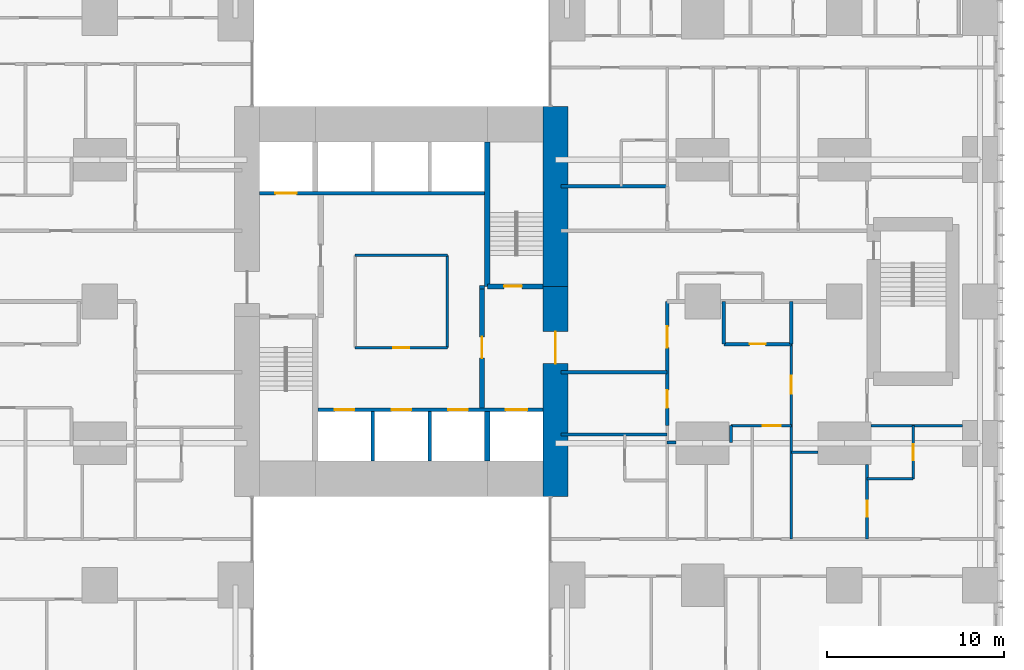
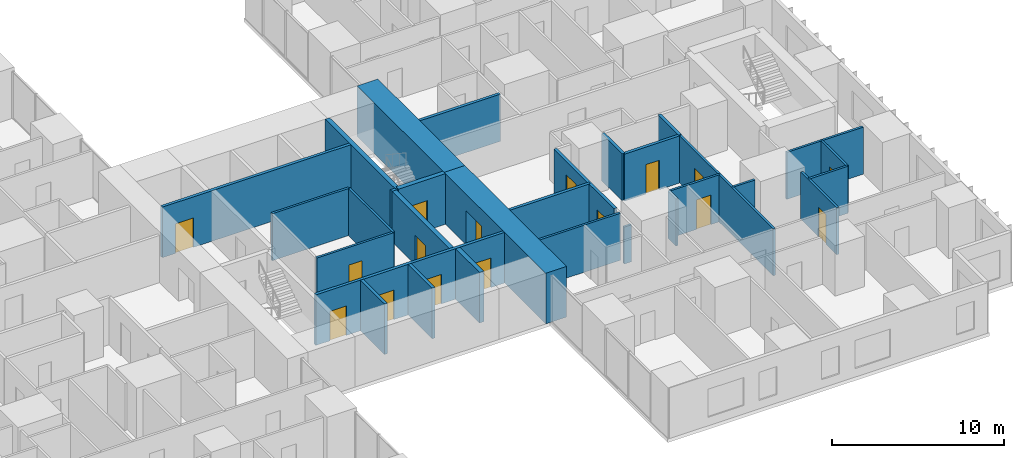
# One storey, part 15 of 20: 30 walls, 16 doors, 16 openings.
"""IFC4 building model written with IfcOpenShell, lengths in metres."""

from ifc_helpers import new_model, si_unit, direction, frame, frame_2d, origin, place, context, subcontext, project, spatial, rectangle, extrude, material, layer, layer_set, type_object, element, fill, save


model = new_model("IFC4")

# Units and contexts
model_context = context("Model", 3, precision=1e-05, world=origin(), true_north=direction((0.0, 1.0)))
body_context = subcontext(model_context, "Body", "Model", "MODEL_VIEW")
ifc_project = project(units=[si_unit("LENGTHUNIT", "METRE"), si_unit("AREAUNIT", "SQUARE_METRE"), si_unit("VOLUMEUNIT", "CUBIC_METRE"), si_unit("PLANEANGLEUNIT", "RADIAN"), si_unit("MASSUNIT", "GRAM", prefix="KILO")], contexts=[model_context])

# Site, building, storey
site_placement = place(None, origin())
site = spatial("IfcSite", under=ifc_project, at=site_placement, CompositionType="ELEMENT")
building_placement = place(site_placement, origin())
building = spatial("IfcBuilding", under=site, at=building_placement, Name="Cleftline Residences", CompositionType="ELEMENT")
storey_placement = place(building_placement, frame((0.0, 0.0, 62.0)))
storey = spatial("IfcBuildingStorey", under=building, at=storey_placement, Name="L15", CompositionType="ELEMENT", Elevation=62.0)

# Wall, opening, door
ifc_material_1 = material(Name="Concrete B70", Category="concrete")
ifc_layer_1 = layer(ifc_material_1, 1.39990234375)
ifc_layer_set_1 = layer_set([ifc_layer_1], Name="CORE WALL 1400")
wall_type_1 = type_object("IfcWallType", Name="CORE WALL 1400", PredefinedType="SHEAR", material=ifc_layer_set_1)
wall_1_placement = place(storey_placement, frame((41.699951171875, 13.0, 0.0), z_axis=(0.0, 0.0, 1.0), x_axis=(0.0, 1.0, 0.0)))
wall_1 = element("IfcWall", 1, at=wall_1_placement, inside=storey, type_object=wall_type_1, Name="Core wall E", PredefinedType="SHEAR", context=body_context, shape_type="SweptSolid", body=[
    extrude(rectangle(XDim=11.85009765625, YDim=1.39990234375, at=frame_2d((5.925048828125, 0.0))), origin(), (0.0, 0.0, 1.0), 3.60009765625),
])
opening_1_placement = place(wall_1_placement, frame((7.5, 0.0, 0.0)))
opening_1 = element("IfcOpeningElement", 2, at=opening_1_placement, cuts=wall_1, Name="Opening D7", PredefinedType="OPENING", context=body_context, shape_type="SweptSolid", body=[
    extrude(rectangle(XDim=1.800048828125, YDim=2.39990234375, at=frame_2d((0.89990234375, 1.199951171875))), frame((0.0, 0.7099609375, 0.0), z_axis=(0.0, -1.0, 0.0), x_axis=(1.0, 0.0, 0.0)), (0.0, 0.0, 1.0), 1.419921875),
])
ifc_material_2 = material(Name="Steel", Category="steel")
door_type_1 = type_object("IfcDoorType", Name="WING DOOR 1800X2400", OperationType="DOUBLE_DOOR_DOUBLE_SWING", PredefinedType="DOOR", material=ifc_material_2)
door_1_placement = place(opening_1_placement, origin())
door_1 = element("IfcDoor", 3, at=door_1_placement, inside=storey, type_object=door_type_1, Name="East wing door", OperationType="DOUBLE_DOOR_DOUBLE_SWING", OverallHeight=2.39990234375, OverallWidth=1.800048828125, PredefinedType="DOOR", context=body_context, shape_type="SweptSolid", body=[
    extrude(rectangle(XDim=1.800048828125, YDim=2.39990234375, at=frame_2d((0.89990234375, 1.199951171875))), frame((0.0, 0.02490234375, 0.0), z_axis=(0.0, -1.0, 0.0), x_axis=(1.0, 0.0, 0.0)), (0.0, 0.0, 1.0), 0.050048828125),
])
fill(opening_1, door_1)

# Walls
wall_2_placement = place(storey_placement, frame((41.699951171875, 24.85009765625, 0.0), z_axis=(0.0, 0.0, 1.0), x_axis=(0.0, 1.0, 0.0)))
element("IfcWall", 4, at=wall_2_placement, inside=storey, type_object=wall_type_1, Name="Core wall E1", PredefinedType="SHEAR", context=body_context, shape_type="SweptSolid", body=[
    extrude(rectangle(XDim=10.14990234375, YDim=1.39990234375, at=frame_2d((5.074951171875, 0.0))), origin(), (0.0, 0.0, 1.0), 3.60009765625),
])
ifc_material_3 = material(Name="Concrete B70", Category="concrete")
ifc_layer_2 = layer(ifc_material_3, 0.300048828125)
ifc_layer_set_2 = layer_set([ifc_layer_2], Name="CORE WALL 300")
wall_type_2 = type_object("IfcWallType", Name="CORE WALL 300", PredefinedType="SHEAR", material=ifc_layer_set_2)
wall_3_placement = place(storey_placement, frame((37.85009765625, 24.85009765625, 0.0), z_axis=(0.0, 0.0, 1.0), x_axis=(0.0, 1.0, 0.0)))
element("IfcWall", 5, at=wall_3_placement, inside=storey, type_object=wall_type_2, Name="Core wall SB-W", PredefinedType="SHEAR", context=body_context, shape_type="SweptSolid", body=[
    extrude(rectangle(XDim=8.14990234375, YDim=0.300048828125, at=frame_2d((4.074951171875, 0.0))), origin(), (0.0, 0.0, 1.0), 3.60009765625),
])

# Wall, opening, door
wall_4_placement = place(storey_placement, frame((37.85009765625, 24.85009765625, 0.0), z_axis=(0.0, 0.0, 1.0), x_axis=(1.0, 0.0, 0.0)))
wall_4 = element("IfcWall", 6, at=wall_4_placement, inside=storey, type_object=wall_type_2, Name="Core wall SB-S", PredefinedType="SHEAR", context=body_context, shape_type="SweptSolid", body=[
    extrude(rectangle(XDim=3.14990234375, YDim=0.300048828125, at=frame_2d((1.574951171875, 0.0))), origin(), (0.0, 0.0, 1.0), 3.60009765625),
])
opening_2_placement = place(wall_4_placement, frame((0.949951171875, 0.0, 0.0)))
opening_2 = element("IfcOpeningElement", 7, at=opening_2_placement, cuts=wall_4, Name="Opening D5", PredefinedType="OPENING", context=body_context, shape_type="SweptSolid", body=[
    extrude(rectangle(XDim=1.0, YDim=2.10009765625, at=frame_2d((0.5, 1.050048828125))), frame((0.0, 0.159912109375, 0.0), z_axis=(0.0, -1.0, 0.0), x_axis=(1.0, 0.0, 0.0)), (0.0, 0.0, 1.0), 0.320068359375),
])
ifc_material_4 = material(Name="Steel", Category="steel")
door_type_2 = type_object("IfcDoorType", Name="STAIR DOOR 1000X2100", OperationType="SINGLE_SWING_LEFT", PredefinedType="DOOR", material=ifc_material_4)
door_2_placement = place(opening_2_placement, origin())
door_2 = element("IfcDoor", 8, at=door_2_placement, inside=storey, type_object=door_type_2, Name="Stair B door", OperationType="SINGLE_SWING_RIGHT", OverallHeight=2.10009765625, OverallWidth=1.0, PredefinedType="DOOR", context=body_context, shape_type="SweptSolid", body=[
    extrude(rectangle(XDim=1.0, YDim=2.10009765625, at=frame_2d((0.5, 1.050048828125))), frame((0.0, 0.02490234375, 0.0), z_axis=(0.0, -1.0, 0.0), x_axis=(1.0, 0.0, 0.0)), (0.0, 0.0, 1.0), 0.050048828125),
])
fill(opening_2, door_2)

# Walls
wall_5_placement = place(storey_placement, frame((37.85009765625, 15.0, 0.0), z_axis=(0.0, 0.0, 1.0), x_axis=(0.0, 1.0, 0.0)))
element("IfcWall", 9, at=wall_5_placement, inside=storey, type_object=wall_type_2, Name="Lift shaft wall", PredefinedType="SHEAR", context=body_context, shape_type="SweptSolid", body=[
    extrude(rectangle(XDim=2.800048828125, YDim=0.300048828125, at=frame_2d((1.39990234375, 0.0))), origin(), (0.0, 0.0, 1.0), 3.60009765625),
])
ifc_material_5 = material(Name="Concrete blockwork, fire rated", Category="masonry")
ifc_layer_3 = layer(ifc_material_5, 0.199951171875)
ifc_layer_set_3 = layer_set([ifc_layer_3], Name="FIRE WALL 200")
wall_type_3 = type_object("IfcWallType", Name="FIRE WALL 200", PredefinedType="PARTITIONING", material=ifc_layer_set_3)
wall_6_placement = place(storey_placement, frame((42.0, 20.0, 0.0), z_axis=(0.0, 0.0, 1.0), x_axis=(1.0, 0.0, 0.0)))
element("IfcWall", 10, at=wall_6_placement, inside=storey, type_object=wall_type_3, Name="Fire separating wall", PredefinedType="PARTITIONING", context=body_context, shape_type="SweptSolid", body=[
    extrude(rectangle(XDim=6.0, YDim=0.199951171875, at=frame_2d((3.0, 0.0))), origin(), (0.0, 0.0, 1.0), 3.35009765625),
])

# Wall, opening, door
wall_7_placement = place(storey_placement, frame((51.199951171875, 21.60009765625, 0.0), z_axis=(0.0, 0.0, 1.0), x_axis=(1.0, 0.0, 0.0)))
wall_7 = element("IfcWall", 11, at=wall_7_placement, inside=storey, type_object=wall_type_3, Name="Fire separating wall", PredefinedType="PARTITIONING", context=body_context, shape_type="SweptSolid", body=[
    extrude(rectangle(XDim=3.800048828125, YDim=0.199951171875, at=frame_2d((1.89990234375, 0.0))), origin(), (0.0, 0.0, 1.0), 3.35009765625),
])
opening_3_placement = place(wall_7_placement, frame((1.449951171875, 0.0, 0.0)))
opening_3 = element("IfcOpeningElement", 12, at=opening_3_placement, cuts=wall_7, Name="Opening D1F30", PredefinedType="OPENING", context=body_context, shape_type="SweptSolid", body=[
    extrude(rectangle(XDim=0.89990234375, YDim=2.10009765625, at=frame_2d((0.449951171875, 1.050048828125))), frame((0.0, 0.10986328125, 0.0), z_axis=(0.0, -1.0, 0.0), x_axis=(1.0, 0.0, 0.0)), (0.0, 0.0, 1.0), 0.219970703125),
])
ifc_material_6 = material(Name="Timber veneer on solid core", Category="wood")
door_type_3 = type_object("IfcDoorType", Name="DOOR 900X2100 EI 30", OperationType="SINGLE_SWING_LEFT", PredefinedType="DOOR", material=ifc_material_6)
door_3_placement = place(opening_3_placement, origin())
door_3 = element("IfcDoor", 13, at=door_3_placement, inside=storey, type_object=door_type_3, Name="Door to cloakroom wc", OperationType="SINGLE_SWING_LEFT", OverallHeight=2.10009765625, OverallWidth=0.89990234375, PredefinedType="DOOR", context=body_context, shape_type="SweptSolid", body=[
    extrude(rectangle(XDim=0.89990234375, YDim=2.10009765625, at=frame_2d((0.449951171875, 1.050048828125))), frame((0.0, 0.02490234375, 0.0), z_axis=(0.0, -1.0, 0.0), x_axis=(1.0, 0.0, 0.0)), (0.0, 0.0, 1.0), 0.050048828125),
])
fill(opening_3, door_3)

# Wall
wall_8_placement = place(storey_placement, frame((42.0, 30.5, 0.0), z_axis=(0.0, 0.0, 1.0), x_axis=(1.0, 0.0, 0.0)))
element("IfcWall", 14, at=wall_8_placement, inside=storey, type_object=wall_type_3, Name="Fire separating wall", PredefinedType="PARTITIONING", context=body_context, shape_type="SweptSolid", body=[
    extrude(rectangle(XDim=6.0, YDim=0.199951171875, at=frame_2d((3.0, 0.0))), origin(), (0.0, 0.0, 1.0), 3.35009765625),
])

# Wall, openings, doors
wall_9_placement = place(storey_placement, frame((48.0, 17.0, 0.0), z_axis=(0.0, 0.0, 1.0), x_axis=(0.0, 1.0, 0.0)))
wall_9 = element("IfcWall", 15, at=wall_9_placement, inside=storey, type_object=wall_type_3, Name="Fire separating wall", PredefinedType="PARTITIONING", context=body_context, shape_type="SweptSolid", body=[
    extrude(rectangle(XDim=7.0, YDim=0.199951171875, at=frame_2d((3.5, 0.0))), origin(), (0.0, 0.0, 1.0), 3.35009765625),
])
opening_4_placement = place(wall_9_placement, frame((4.39990234375, 0.0, 0.0)))
opening_4 = element("IfcOpeningElement", 16, at=opening_4_placement, cuts=wall_9, Name="Opening D4", PredefinedType="OPENING", context=body_context, shape_type="SweptSolid", body=[
    extrude(rectangle(XDim=1.199951171875, YDim=2.39990234375, at=frame_2d((0.60009765625, 1.199951171875))), frame((0.0, 0.10986328125, 0.0), z_axis=(0.0, -1.0, 0.0), x_axis=(1.0, 0.0, 0.0)), (0.0, 0.0, 1.0), 0.219970703125),
])
opening_5_placement = place(wall_9_placement, frame((1.0, 0.0, 0.0)))
opening_5 = element("IfcOpeningElement", 17, at=opening_5_placement, cuts=wall_9, Name="Opening D2F30", PredefinedType="OPENING", context=body_context, shape_type="SweptSolid", body=[
    extrude(rectangle(XDim=1.0, YDim=2.10009765625, at=frame_2d((0.5, 1.050048828125))), frame((0.0, 0.10986328125, 0.0), z_axis=(0.0, -1.0, 0.0), x_axis=(1.0, 0.0, 0.0)), (0.0, 0.0, 1.0), 0.219970703125),
])
ifc_material_7 = material(Name="Timber veneer on solid core", Category="wood")
door_type_4 = type_object("IfcDoorType", Name="APARTMENT ENTRANCE DOOR 1200X2400", OperationType="SINGLE_SWING_RIGHT", PredefinedType="DOOR", material=ifc_material_7)
door_4_placement = place(opening_4_placement, origin())
door_4 = element("IfcDoor", 18, at=door_4_placement, inside=storey, type_object=door_type_4, Name="Door to residence entrance foyer", OperationType="SINGLE_SWING_LEFT", OverallHeight=2.39990234375, OverallWidth=1.199951171875, PredefinedType="DOOR", context=body_context, shape_type="SweptSolid", body=[
    extrude(rectangle(XDim=1.199951171875, YDim=2.39990234375, at=frame_2d((0.60009765625, 1.199951171875))), frame((0.0, 0.02490234375, 0.0), z_axis=(0.0, -1.0, 0.0), x_axis=(1.0, 0.0, 0.0)), (0.0, 0.0, 1.0), 0.050048828125),
])
fill(opening_4, door_4)
ifc_material_8 = material(Name="Timber veneer on solid core", Category="wood")
door_type_5 = type_object("IfcDoorType", Name="DOOR 1000X2100 EI 30", OperationType="SINGLE_SWING_LEFT", PredefinedType="DOOR", material=ifc_material_8)
door_5_placement = place(opening_5_placement, origin())
door_5 = element("IfcDoor", 19, at=door_5_placement, inside=storey, type_object=door_type_5, Name="Door to wet kitchen", OperationType="SINGLE_SWING_RIGHT", OverallHeight=2.10009765625, OverallWidth=1.0, PredefinedType="DOOR", context=body_context, shape_type="SweptSolid", body=[
    extrude(rectangle(XDim=1.0, YDim=2.10009765625, at=frame_2d((0.5, 1.050048828125))), frame((0.0, 0.02490234375, 0.0), z_axis=(0.0, -1.0, 0.0), x_axis=(1.0, 0.0, 0.0)), (0.0, 0.0, 1.0), 0.050048828125),
])
fill(opening_5, door_5)

# Walls
for number, where, z_axis, x_axis, name in (
    (20, (51.199951171875, 21.60009765625, 0.0), (0.0, 0.0, 1.0), (0.0, 1.0, 0.0), "Fire separating wall"),
    (21, (55.0, 21.60009765625, 0.0), (0.0, 0.0, 1.0), (0.0, 1.0, 0.0), "Fire separating wall"),
):
    element("IfcWall", number, at=place(storey_placement, frame(where, z_axis=z_axis, x_axis=x_axis)), inside=storey, type_object=wall_type_3, Name=name, PredefinedType="PARTITIONING", context=body_context, shape_type="SweptSolid", body=[
        extrude(rectangle(XDim=2.39990234375, YDim=0.199951171875, at=frame_2d((1.199951171875, 0.0))), origin(), (0.0, 0.0, 1.0), 3.35009765625),
    ])
wall_10_placement = place(storey_placement, frame((37.39990234375, 24.800048828125, 0.0), z_axis=(0.0, 0.0, 1.0), x_axis=(1.0, 0.0, 0.0)))
element("IfcWall", 22, at=wall_10_placement, inside=storey, type_object=wall_type_3, Name="Fire separating wall", PredefinedType="PARTITIONING", context=body_context, shape_type="SweptSolid", body=[
    extrude(rectangle(XDim=0.300048828125, YDim=0.199951171875, at=frame_2d((0.14990234375, 0.0))), origin(), (0.0, 0.0, 1.0), 3.60009765625),
])
ifc_material_9 = material(Name="Gypsum board on steel studs", Category="steel")
ifc_layer_4 = layer(ifc_material_9, 0.14990234375)
ifc_layer_set_4 = layer_set([ifc_layer_4], Name="PARTITION 150")
wall_type_4 = type_object("IfcWallType", Name="PARTITION 150", PredefinedType="PARTITIONING", material=ifc_layer_set_4)
wall_11_placement = place(storey_placement, frame((59.27490234375, 14.0, 0.0), z_axis=(0.0, 0.0, 1.0), x_axis=(1.0, 0.0, 0.0)))
element("IfcWall", 23, at=wall_11_placement, inside=storey, type_object=wall_type_4, Name="Partition", PredefinedType="PARTITIONING", context=body_context, shape_type="SweptSolid", body=[
    extrude(rectangle(XDim=2.60009765625, YDim=0.14990234375, at=frame_2d((1.300048828125, 0.0))), origin(), (0.0, 0.0, 1.0), 3.35009765625),
])
wall_12_placement = place(storey_placement, frame((55.0, 15.5, 0.0), z_axis=(0.0, 0.0, 1.0), x_axis=(1.0, 0.0, 0.0)))
element("IfcWall", 24, at=wall_12_placement, inside=storey, type_object=wall_type_4, Name="Partition", PredefinedType="PARTITIONING", context=body_context, shape_type="SweptSolid", body=[
    extrude(rectangle(XDim=1.5, YDim=0.14990234375, at=frame_2d((0.75, 0.0))), origin(), (0.0, 0.0, 1.0), 3.35009765625),
])
wall_13_placement = place(storey_placement, frame((48.0, 16.050048828125, 0.0), z_axis=(0.0, 0.0, 1.0), x_axis=(1.0, 0.0, 0.0)))
element("IfcWall", 25, at=wall_13_placement, inside=storey, type_object=wall_type_4, Name="Partition", PredefinedType="PARTITIONING", context=body_context, shape_type="SweptSolid", body=[
    extrude(rectangle(XDim=0.5, YDim=0.14990234375, at=frame_2d((0.25, 0.0))), origin(), (0.0, 0.0, 1.0), 2.634033203125),
])
wall_14_placement = place(storey_placement, frame((42.0, 16.5, 0.0), z_axis=(0.0, 0.0, 1.0), x_axis=(1.0, 0.0, 0.0)))
element("IfcWall", 26, at=wall_14_placement, inside=storey, type_object=wall_type_4, Name="Partition", PredefinedType="PARTITIONING", context=body_context, shape_type="SweptSolid", body=[
    extrude(rectangle(XDim=6.0, YDim=0.14990234375, at=frame_2d((3.0, 0.0))), origin(), (0.0, 0.0, 1.0), 3.35009765625),
])

# Wall, opening, door
wall_15_placement = place(storey_placement, frame((51.60009765625, 17.0, 0.0), z_axis=(0.0, 0.0, 1.0), x_axis=(1.0, 0.0, 0.0)))
wall_15 = element("IfcWall", 27, at=wall_15_placement, inside=storey, type_object=wall_type_4, Name="Partition", PredefinedType="PARTITIONING", context=body_context, shape_type="SweptSolid", body=[
    extrude(rectangle(XDim=3.39990234375, YDim=0.14990234375, at=frame_2d((1.699951171875, 0.0))), origin(), (0.0, 0.0, 1.0), 3.35009765625),
])
opening_6_placement = place(wall_15_placement, frame((1.800048828125, 0.0, 0.0)))
opening_6 = element("IfcOpeningElement", 28, at=opening_6_placement, cuts=wall_15, Name="Opening D2", PredefinedType="OPENING", context=body_context, shape_type="SweptSolid", body=[
    extrude(rectangle(XDim=1.0, YDim=2.10009765625, at=frame_2d((0.5, 1.050048828125))), frame((0.0, 0.0849609375, 0.0), z_axis=(0.0, -1.0, 0.0), x_axis=(1.0, 0.0, 0.0)), (0.0, 0.0, 1.0), 0.169921875),
])
ifc_material_10 = material(Name="Timber veneer on solid core", Category="wood")
door_type_6 = type_object("IfcDoorType", Name="DOOR 1000X2100", OperationType="SINGLE_SWING_LEFT", PredefinedType="DOOR", material=ifc_material_10)
door_6_placement = place(opening_6_placement, origin())
door_6 = element("IfcDoor", 29, at=door_6_placement, inside=storey, type_object=door_type_6, Name="Door to residence passage", OperationType="SINGLE_SWING_LEFT", OverallHeight=2.10009765625, OverallWidth=1.0, PredefinedType="DOOR", context=body_context, shape_type="SweptSolid", body=[
    extrude(rectangle(XDim=1.0, YDim=2.10009765625, at=frame_2d((0.5, 1.050048828125))), frame((0.0, 0.02490234375, 0.0), z_axis=(0.0, -1.0, 0.0), x_axis=(1.0, 0.0, 0.0)), (0.0, 0.0, 1.0), 0.050048828125),
])
fill(opening_6, door_6)

# Walls
wall_16_placement = place(storey_placement, frame((59.5, 17.0, 0.0), z_axis=(0.0, 0.0, 1.0), x_axis=(1.0, 0.0, 0.0)))
element("IfcWall", 30, at=wall_16_placement, inside=storey, type_object=wall_type_4, Name="Partition", PredefinedType="PARTITIONING", context=body_context, shape_type="SweptSolid", body=[
    extrude(rectangle(XDim=5.14990234375, YDim=0.14990234375, at=frame_2d((2.574951171875, 0.0))), origin(), (0.0, 0.0, 1.0), 3.35009765625),
])
wall_17_placement = place(storey_placement, frame((51.60009765625, 16.050048828125, 0.0), z_axis=(0.0, 0.0, 1.0), x_axis=(0.0, 1.0, 0.0)))
element("IfcWall", 31, at=wall_17_placement, inside=storey, type_object=wall_type_4, Name="Partition", PredefinedType="PARTITIONING", context=body_context, shape_type="SweptSolid", body=[
    extrude(rectangle(XDim=0.949951171875, YDim=0.14990234375, at=frame_2d((0.47509765625, 0.0))), origin(), (0.0, 0.0, 1.0), 3.35009765625),
])

# Wall, opening, door
wall_18_placement = place(storey_placement, frame((55.0, 10.60009765625, 0.0), z_axis=(0.0, 0.0, 1.0), x_axis=(0.0, 1.0, 0.0)))
wall_18 = element("IfcWall", 32, at=wall_18_placement, inside=storey, type_object=wall_type_4, Name="Partition", PredefinedType="PARTITIONING", context=body_context, shape_type="SweptSolid", body=[
    extrude(rectangle(XDim=11.0, YDim=0.14990234375, at=frame_2d((5.5, 0.0))), origin(), (0.0, 0.0, 1.0), 3.35009765625),
])
opening_7_placement = place(wall_18_placement, frame((8.199951171875, 0.0, 0.0)))
opening_7 = element("IfcOpeningElement", 33, at=opening_7_placement, cuts=wall_18, Name="Opening D2F30", PredefinedType="OPENING", context=body_context, shape_type="SweptSolid", body=[
    extrude(rectangle(XDim=1.0, YDim=2.10009765625, at=frame_2d((0.5, 1.050048828125))), frame((0.0, 0.0849609375, 0.0), z_axis=(0.0, -1.0, 0.0), x_axis=(1.0, 0.0, 0.0)), (0.0, 0.0, 1.0), 0.169921875),
])
door_7_placement = place(opening_7_placement, origin())
door_7 = element("IfcDoor", 34, at=door_7_placement, inside=storey, type_object=door_type_5, Name="Door to residence lobby", OperationType="SINGLE_SWING_LEFT", OverallHeight=2.10009765625, OverallWidth=1.0, PredefinedType="DOOR", context=body_context, shape_type="SweptSolid", body=[
    extrude(rectangle(XDim=1.0, YDim=2.10009765625, at=frame_2d((0.5, 1.050048828125))), frame((0.0, 0.02490234375, 0.0), z_axis=(0.0, -1.0, 0.0), x_axis=(1.0, 0.0, 0.0)), (0.0, 0.0, 1.0), 0.050048828125),
])
fill(opening_7, door_7)

wall_19_placement = place(storey_placement, frame((59.27490234375, 10.60009765625, 0.0), z_axis=(0.0, 0.0, 1.0), x_axis=(0.0, 1.0, 0.0)))
wall_19 = element("IfcWall", 35, at=wall_19_placement, inside=storey, type_object=wall_type_4, Name="Partition", PredefinedType="PARTITIONING", context=body_context, shape_type="SweptSolid", body=[
    extrude(rectangle(XDim=4.199951171875, YDim=0.14990234375, at=frame_2d((2.10009765625, 0.0))), origin(), (0.0, 0.0, 1.0), 3.35009765625),
])
opening_8_placement = place(wall_19_placement, frame((1.25, 0.0, 0.0)))
opening_8 = element("IfcOpeningElement", 36, at=opening_8_placement, cuts=wall_19, Name="Opening D1", PredefinedType="OPENING", context=body_context, shape_type="SweptSolid", body=[
    extrude(rectangle(XDim=0.89990234375, YDim=2.10009765625, at=frame_2d((0.449951171875, 1.050048828125))), frame((0.0, 0.0849609375, 0.0), z_axis=(0.0, -1.0, 0.0), x_axis=(1.0, 0.0, 0.0)), (0.0, 0.0, 1.0), 0.169921875),
])
ifc_material_11 = material(Name="Timber veneer on solid core", Category="wood")
door_type_7 = type_object("IfcDoorType", Name="DOOR 900X2100", OperationType="SINGLE_SWING_LEFT", PredefinedType="DOOR", material=ifc_material_11)
door_8_placement = place(opening_8_placement, origin())
door_8 = element("IfcDoor", 37, at=door_8_placement, inside=storey, type_object=door_type_7, Name="Door to master dressing room", OperationType="SINGLE_SWING_RIGHT", OverallHeight=2.10009765625, OverallWidth=0.89990234375, PredefinedType="DOOR", context=body_context, shape_type="SweptSolid", body=[
    extrude(rectangle(XDim=0.89990234375, YDim=2.10009765625, at=frame_2d((0.449951171875, 1.050048828125))), frame((0.0, 0.02490234375, 0.0), z_axis=(0.0, -1.0, 0.0), x_axis=(1.0, 0.0, 0.0)), (0.0, 0.0, 1.0), 0.050048828125),
])
fill(opening_8, door_8)

wall_20_placement = place(storey_placement, frame((61.875, 14.0, 0.0), z_axis=(0.0, 0.0, 1.0), x_axis=(0.0, 1.0, 0.0)))
wall_20 = element("IfcWall", 38, at=wall_20_placement, inside=storey, type_object=wall_type_4, Name="Partition", PredefinedType="PARTITIONING", context=body_context, shape_type="SweptSolid", body=[
    extrude(rectangle(XDim=3.0, YDim=0.14990234375, at=frame_2d((1.5, 0.0))), origin(), (0.0, 0.0, 1.0), 3.35009765625),
])
opening_9_placement = place(wall_20_placement, frame((1.050048828125, 0.0, 0.0)))
opening_9 = element("IfcOpeningElement", 39, at=opening_9_placement, cuts=wall_20, Name="Opening D1", PredefinedType="OPENING", context=body_context, shape_type="SweptSolid", body=[
    extrude(rectangle(XDim=0.89990234375, YDim=2.10009765625, at=frame_2d((0.449951171875, 1.050048828125))), frame((0.0, 0.0849609375, 0.0), z_axis=(0.0, -1.0, 0.0), x_axis=(1.0, 0.0, 0.0)), (0.0, 0.0, 1.0), 0.169921875),
])
door_9_placement = place(opening_9_placement, origin())
door_9 = element("IfcDoor", 40, at=door_9_placement, inside=storey, type_object=door_type_7, Name="Door to master bathroom", OperationType="SINGLE_SWING_LEFT", OverallHeight=2.10009765625, OverallWidth=0.89990234375, PredefinedType="DOOR", context=body_context, shape_type="SweptSolid", body=[
    extrude(rectangle(XDim=0.89990234375, YDim=2.10009765625, at=frame_2d((0.449951171875, 1.050048828125))), frame((0.0, 0.02490234375, 0.0), z_axis=(0.0, -1.0, 0.0), x_axis=(1.0, 0.0, 0.0)), (0.0, 0.0, 1.0), 0.050048828125),
])
fill(opening_9, door_9)

ifc_material_12 = material(Name="Fire-resisting gypsum board on steel studs", Category="steel")
ifc_layer_5 = layer(ifc_material_12, 0.14990234375)
ifc_layer_set_5 = layer_set([ifc_layer_5], Name="PARTITION 150 EI 60")
wall_type_5 = type_object("IfcWallType", Name="PARTITION 150 EI 60", PredefinedType="PARTITIONING", material=ifc_layer_set_5)
wall_21_placement = place(storey_placement, frame((30.39990234375, 21.39990234375, 0.0), z_axis=(0.0, 0.0, 1.0), x_axis=(1.0, 0.0, 0.0)))
wall_21 = element("IfcWall", 41, at=wall_21_placement, inside=storey, type_object=wall_type_5, Name="Core room partition", PredefinedType="PARTITIONING", context=body_context, shape_type="SweptSolid", body=[
    extrude(rectangle(XDim=5.2001953125, YDim=0.14990234375, at=frame_2d((2.60009765625, 0.0))), origin(), (0.0, 0.0, 1.0), 3.35009765625),
])
opening_10_placement = place(wall_21_placement, frame((2.14990234375, 0.0, 0.0)))
opening_10 = element("IfcOpeningElement", 42, at=opening_10_placement, cuts=wall_21, Name="Opening D1F30", PredefinedType="OPENING", context=body_context, shape_type="SweptSolid", body=[
    extrude(rectangle(XDim=0.89990234375, YDim=2.10009765625, at=frame_2d((0.449951171875, 1.050048828125))), frame((0.0, 0.0849609375, 0.0), z_axis=(0.0, -1.0, 0.0), x_axis=(1.0, 0.0, 0.0)), (0.0, 0.0, 1.0), 0.169921875),
])
door_10_placement = place(opening_10_placement, origin())
door_10 = element("IfcDoor", 43, at=door_10_placement, inside=storey, type_object=door_type_3, Name="Door to housekeeping store", OperationType="SINGLE_SWING_LEFT", OverallHeight=2.10009765625, OverallWidth=0.89990234375, PredefinedType="DOOR", context=body_context, shape_type="SweptSolid", body=[
    extrude(rectangle(XDim=0.89990234375, YDim=2.10009765625, at=frame_2d((0.449951171875, 1.050048828125))), frame((0.0, 0.02490234375, 0.0), z_axis=(0.0, -1.0, 0.0), x_axis=(1.0, 0.0, 0.0)), (0.0, 0.0, 1.0), 0.050048828125),
])
fill(opening_10, door_10)

# Walls
for number, where, z_axis, x_axis, name in (
    (44, (30.39990234375, 26.60009765625, 0.0), (0.0, 0.0, 1.0), (1.0, 0.0, 0.0), "Core room partition"),
    (45, (35.60009765625, 21.39990234375, 0.0), (0.0, 0.0, 1.0), (0.0, 1.0, 0.0), "Core room partition"),
):
    element("IfcWall", number, at=place(storey_placement, frame(where, z_axis=z_axis, x_axis=x_axis)), inside=storey, type_object=wall_type_5, Name=name, PredefinedType="PARTITIONING", context=body_context, shape_type="SweptSolid", body=[
        extrude(rectangle(XDim=5.2001953125, YDim=0.14990234375, at=frame_2d((2.60009765625, 0.0))), origin(), (0.0, 0.0, 1.0), 3.35009765625),
    ])

# Wall, openings, doors
ifc_material_13 = material(Name="Concrete blockwork, fire rated", Category="masonry")
ifc_layer_6 = layer(ifc_material_13, 0.199951171875)
ifc_layer_set_6 = layer_set([ifc_layer_6], Name="SHAFT WALL 200")
wall_type_6 = type_object("IfcWallType", Name="SHAFT WALL 200", PredefinedType="PARTITIONING", material=ifc_layer_set_6)
wall_22_placement = place(storey_placement, frame((28.300048828125, 17.89990234375, 0.0), z_axis=(0.0, 0.0, 1.0), x_axis=(1.0, 0.0, 0.0)))
wall_22 = element("IfcWall", 46, at=wall_22_placement, inside=storey, type_object=wall_type_6, Name="Lift shaft wall", PredefinedType="PARTITIONING", context=body_context, shape_type="SweptSolid", body=[
    extrude(rectangle(XDim=12.699951171875, YDim=0.199951171875, at=frame_2d((6.35009765625, 0.0))), origin(), (0.0, 0.0, 1.0), 3.60009765625),
])
opening_11_placement = place(wall_22_placement, frame((0.949951171875, 0.0, 0.0)))
opening_11 = element("IfcOpeningElement", 47, at=opening_11_placement, cuts=wall_22, Name="Opening LD1", PredefinedType="OPENING", context=body_context, shape_type="SweptSolid", body=[
    extrude(rectangle(XDim=1.10009765625, YDim=2.10009765625, at=frame_2d((0.550048828125, 1.050048828125))), frame((0.0, 0.10986328125, 0.0), z_axis=(0.0, -1.0, 0.0), x_axis=(1.0, 0.0, 0.0)), (0.0, 0.0, 1.0), 0.219970703125),
])
opening_12_placement = place(wall_22_placement, frame((4.14990234375, 0.0, 0.0)))
opening_12 = element("IfcOpeningElement", 48, at=opening_12_placement, cuts=wall_22, Name="Opening LD1", PredefinedType="OPENING", context=body_context, shape_type="SweptSolid", body=[
    extrude(rectangle(XDim=1.10009765625, YDim=2.10009765625, at=frame_2d((0.550048828125, 1.050048828125))), frame((0.0, 0.10986328125, 0.0), z_axis=(0.0, -1.0, 0.0), x_axis=(1.0, 0.0, 0.0)), (0.0, 0.0, 1.0), 0.219970703125),
])
opening_13_placement = place(wall_22_placement, frame((7.35009765625, 0.0, 0.0)))
opening_13 = element("IfcOpeningElement", 49, at=opening_13_placement, cuts=wall_22, Name="Opening LD1", PredefinedType="OPENING", context=body_context, shape_type="SweptSolid", body=[
    extrude(rectangle(XDim=1.10009765625, YDim=2.10009765625, at=frame_2d((0.550048828125, 1.050048828125))), frame((0.0, 0.10986328125, 0.0), z_axis=(0.0, -1.0, 0.0), x_axis=(1.0, 0.0, 0.0)), (0.0, 0.0, 1.0), 0.219970703125),
])
opening_14_placement = place(wall_22_placement, frame((10.60009765625, 0.0, 0.0)))
opening_14 = element("IfcOpeningElement", 50, at=opening_14_placement, cuts=wall_22, Name="Opening LD2", PredefinedType="OPENING", context=body_context, shape_type="SweptSolid", body=[
    extrude(rectangle(XDim=1.199951171875, YDim=2.10009765625, at=frame_2d((0.60009765625, 1.050048828125))), frame((0.0, 0.10986328125, 0.0), z_axis=(0.0, -1.0, 0.0), x_axis=(1.0, 0.0, 0.0)), (0.0, 0.0, 1.0), 0.219970703125),
])
ifc_material_14 = material(Name="Steel", Category="steel")
door_type_8 = type_object("IfcDoorType", Name="FIREFIGHTING LIFT LANDING DOOR 1200X2100", OperationType="SLIDING_TO_LEFT", PredefinedType="DOOR", material=ifc_material_14)
door_11_placement = place(opening_14_placement, origin())
door_11 = element("IfcDoor", 51, at=door_11_placement, inside=storey, type_object=door_type_8, Name="Lift FL2 landing door", OperationType="SLIDING_TO_LEFT", OverallHeight=2.10009765625, OverallWidth=1.199951171875, PredefinedType="DOOR", context=body_context, shape_type="SweptSolid", body=[
    extrude(rectangle(XDim=1.199951171875, YDim=2.10009765625, at=frame_2d((0.60009765625, 1.050048828125))), frame((0.0, 0.02490234375, 0.0), z_axis=(0.0, -1.0, 0.0), x_axis=(1.0, 0.0, 0.0)), (0.0, 0.0, 1.0), 0.050048828125),
])
fill(opening_14, door_11)
ifc_material_15 = material(Name="Steel", Category="steel")
door_type_9 = type_object("IfcDoorType", Name="LIFT LANDING DOOR 1100X2100", OperationType="SLIDING_TO_LEFT", PredefinedType="DOOR", material=ifc_material_15)
door_12_placement = place(opening_11_placement, origin())
door_12 = element("IfcDoor", 52, at=door_12_placement, inside=storey, type_object=door_type_9, Name="Lift P1 landing door", OperationType="SLIDING_TO_LEFT", OverallHeight=2.10009765625, OverallWidth=1.10009765625, PredefinedType="DOOR", context=body_context, shape_type="SweptSolid", body=[
    extrude(rectangle(XDim=1.10009765625, YDim=2.10009765625, at=frame_2d((0.550048828125, 1.050048828125))), frame((0.0, 0.02490234375, 0.0), z_axis=(0.0, -1.0, 0.0), x_axis=(1.0, 0.0, 0.0)), (0.0, 0.0, 1.0), 0.050048828125),
])
fill(opening_11, door_12)
door_13_placement = place(opening_12_placement, origin())
door_13 = element("IfcDoor", 53, at=door_13_placement, inside=storey, type_object=door_type_9, Name="Lift P2 landing door", OperationType="SLIDING_TO_LEFT", OverallHeight=2.10009765625, OverallWidth=1.10009765625, PredefinedType="DOOR", context=body_context, shape_type="SweptSolid", body=[
    extrude(rectangle(XDim=1.10009765625, YDim=2.10009765625, at=frame_2d((0.550048828125, 1.050048828125))), frame((0.0, 0.02490234375, 0.0), z_axis=(0.0, -1.0, 0.0), x_axis=(1.0, 0.0, 0.0)), (0.0, 0.0, 1.0), 0.050048828125),
])
fill(opening_12, door_13)
door_14_placement = place(opening_13_placement, origin())
door_14 = element("IfcDoor", 54, at=door_14_placement, inside=storey, type_object=door_type_9, Name="Lift P3 landing door", OperationType="SLIDING_TO_LEFT", OverallHeight=2.10009765625, OverallWidth=1.10009765625, PredefinedType="DOOR", context=body_context, shape_type="SweptSolid", body=[
    extrude(rectangle(XDim=1.10009765625, YDim=2.10009765625, at=frame_2d((0.550048828125, 1.050048828125))), frame((0.0, 0.02490234375, 0.0), z_axis=(0.0, -1.0, 0.0), x_axis=(1.0, 0.0, 0.0)), (0.0, 0.0, 1.0), 0.050048828125),
])
fill(opening_13, door_14)

# Wall, opening, door
wall_23_placement = place(storey_placement, frame((25.0, 30.10009765625, 0.0), z_axis=(0.0, 0.0, 1.0), x_axis=(1.0, 0.0, 0.0)))
wall_23 = element("IfcWall", 55, at=wall_23_placement, inside=storey, type_object=wall_type_6, Name="Lift shaft wall", PredefinedType="PARTITIONING", context=body_context, shape_type="SweptSolid", body=[
    extrude(rectangle(XDim=12.699951171875, YDim=0.199951171875, at=frame_2d((6.35009765625, 0.0))), origin(), (0.0, 0.0, 1.0), 3.60009765625),
])
opening_15_placement = place(wall_23_placement, frame((0.89990234375, 0.0, 0.0)))
opening_15 = element("IfcOpeningElement", 56, at=opening_15_placement, cuts=wall_23, Name="Opening LD2", PredefinedType="OPENING", context=body_context, shape_type="SweptSolid", body=[
    extrude(rectangle(XDim=1.199951171875, YDim=2.10009765625, at=frame_2d((0.60009765625, 1.050048828125))), frame((0.0, 0.10986328125, 0.0), z_axis=(0.0, -1.0, 0.0), x_axis=(1.0, 0.0, 0.0)), (0.0, 0.0, 1.0), 0.219970703125),
])
door_15_placement = place(opening_15_placement, origin())
door_15 = element("IfcDoor", 57, at=door_15_placement, inside=storey, type_object=door_type_8, Name="Lift FL1 landing door", OperationType="SLIDING_TO_LEFT", OverallHeight=2.10009765625, OverallWidth=1.199951171875, PredefinedType="DOOR", context=body_context, shape_type="SweptSolid", body=[
    extrude(rectangle(XDim=1.199951171875, YDim=2.10009765625, at=frame_2d((0.60009765625, 1.050048828125))), frame((0.0, 0.02490234375, 0.0), z_axis=(0.0, -1.0, 0.0), x_axis=(1.0, 0.0, 0.0)), (0.0, 0.0, 1.0), 0.050048828125),
])
fill(opening_15, door_15)

# Walls
for number, where, z_axis, x_axis, name in (
    (58, (31.39990234375, 15.0, 0.0), (0.0, 0.0, 1.0), (0.0, 1.0, 0.0), "Lift shaft wall"),
    (59, (34.60009765625, 15.0, 0.0), (0.0, 0.0, 1.0), (0.0, 1.0, 0.0), "Lift shaft wall"),
):
    element("IfcWall", number, at=place(storey_placement, frame(where, z_axis=z_axis, x_axis=x_axis)), inside=storey, type_object=wall_type_6, Name=name, PredefinedType="PARTITIONING", context=body_context, shape_type="SweptSolid", body=[
        extrude(rectangle(XDim=2.800048828125, YDim=0.199951171875, at=frame_2d((1.39990234375, 0.0))), origin(), (0.0, 0.0, 1.0), 3.60009765625),
    ])

# Wall, opening, door
ifc_material_16 = material(Name="Concrete blockwork, fire rated", Category="masonry")
ifc_layer_7 = layer(ifc_material_16, 0.300048828125)
ifc_layer_set_7 = layer_set([ifc_layer_7], Name="STAIR LOBBY WALL 300")
wall_type_7 = type_object("IfcWallType", Name="STAIR LOBBY WALL 300", PredefinedType="PARTITIONING", material=ifc_layer_set_7)
wall_24_placement = place(storey_placement, frame((37.550048828125, 18.0, 0.0), z_axis=(0.0, 0.0, 1.0), x_axis=(0.0, 1.0, 0.0)))
wall_24 = element("IfcWall", 60, at=wall_24_placement, inside=storey, type_object=wall_type_7, Name="Stair and lobby wall FB-W", PredefinedType="PARTITIONING", context=body_context, shape_type="SweptSolid", body=[
    extrude(rectangle(XDim=6.699951171875, YDim=0.300048828125, at=frame_2d((3.35009765625, 0.0))), origin(), (0.0, 0.0, 1.0), 3.60009765625),
])
opening_16_placement = place(wall_24_placement, frame((2.800048828125, 0.0, 0.0)))
opening_16 = element("IfcOpeningElement", 61, at=opening_16_placement, cuts=wall_24, Name="Opening D6", PredefinedType="OPENING", context=body_context, shape_type="SweptSolid", body=[
    extrude(rectangle(XDim=1.199951171875, YDim=2.10009765625, at=frame_2d((0.60009765625, 1.050048828125))), frame((0.0, 0.159912109375, 0.0), z_axis=(0.0, -1.0, 0.0), x_axis=(1.0, 0.0, 0.0)), (0.0, 0.0, 1.0), 0.320068359375),
])
ifc_material_17 = material(Name="Steel", Category="steel")
door_type_10 = type_object("IfcDoorType", Name="LOBBY DOOR 1200X2100", OperationType="SINGLE_SWING_RIGHT", PredefinedType="DOOR", material=ifc_material_17)
door_16_placement = place(opening_16_placement, origin())
door_16 = element("IfcDoor", 62, at=door_16_placement, inside=storey, type_object=door_type_10, Name="Firefighting lobby B door", OperationType="SINGLE_SWING_LEFT", OverallHeight=2.10009765625, OverallWidth=1.199951171875, PredefinedType="DOOR", context=body_context, shape_type="SweptSolid", body=[
    extrude(rectangle(XDim=1.199951171875, YDim=2.10009765625, at=frame_2d((0.60009765625, 1.050048828125))), frame((0.0, 0.02490234375, 0.0), z_axis=(0.0, -1.0, 0.0), x_axis=(1.0, 0.0, 0.0)), (0.0, 0.0, 1.0), 0.050048828125),
])
fill(opening_16, door_16)

save(model, "model.ifc")
